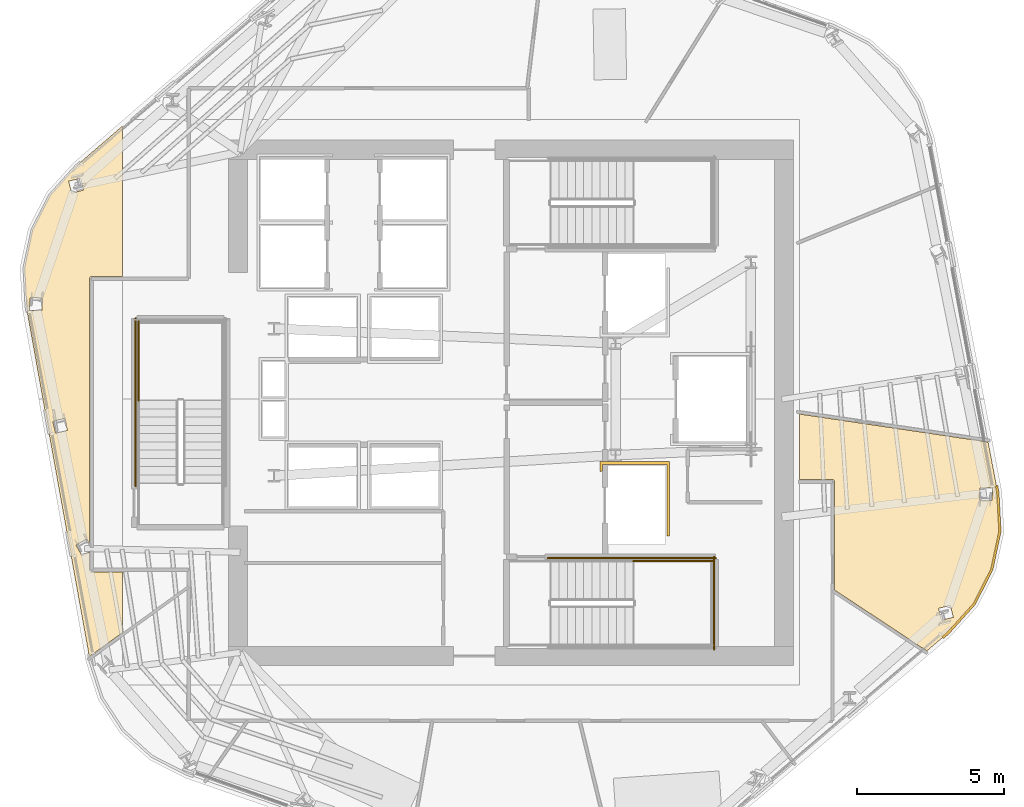
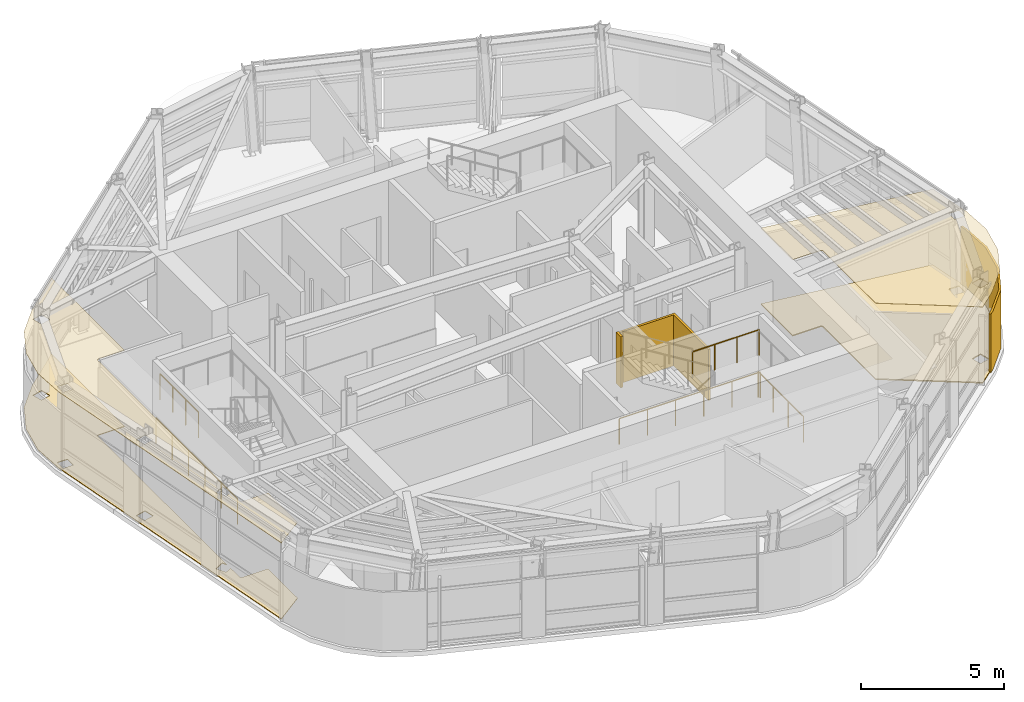
# One storey, part 11 of 14: 6 coverings, 5 railings.
"""IFC4 building model written with IfcOpenShell, lengths in metres."""

from ifc_helpers import new_model, si_unit, direction, frame, origin, origin_2d, place, context, subcontext, project, spatial, polyline, circle, outline, extrude, material, layer, layer_set, type_object, element, save


model = new_model("IFC4")

# Units and contexts
model_context = context("Model", 3, precision=1e-05, world=origin(), true_north=direction((0.0, 1.0)))
body_context = subcontext(model_context, "Body", "Model", "MODEL_VIEW")
ifc_project = project(units=[si_unit("LENGTHUNIT", "METRE"), si_unit("AREAUNIT", "SQUARE_METRE"), si_unit("VOLUMEUNIT", "CUBIC_METRE"), si_unit("PLANEANGLEUNIT", "RADIAN"), si_unit("MASSUNIT", "GRAM", prefix="KILO")], contexts=[model_context])

# Site, building, storey
site_placement = place(None, origin())
site = spatial("IfcSite", under=ifc_project, at=site_placement, CompositionType="ELEMENT")
building_placement = place(site_placement, origin())
building = spatial("IfcBuilding", under=site, at=building_placement, Name="Valkerne Bourse Tower", CompositionType="ELEMENT")
storey_placement = place(building_placement, frame((0.0, 0.0, 198.0)))
storey = spatial("IfcBuildingStorey", under=building, at=storey_placement, Name="L50", CompositionType="ELEMENT", Elevation=198.0)

# Coverings
ifc_material_1 = material(Name="Mineral Fiber Acoustic Ceiling Tile", Category="acoustic")
ifc_layer_1 = layer(ifc_material_1, 0.02490234375)
ifc_layer_set_1 = layer_set([ifc_layer_1], Name="Mineral Fiber Acoustic Ceiling Tile")
covering_type_1 = type_object("IfcCoveringType", Name="COV-CEIL-ACT", PredefinedType="CEILING", material=ifc_layer_set_1)
covering_1_placement = place(storey_placement, frame((0.0, 0.0, 3.25)))
element("IfcCovering", 1, at=covering_1_placement, inside=storey, type_object=covering_type_1, Name="L50 Suspended Ceiling 08", PredefinedType="CEILING", context=body_context, shape_type="SweptSolid", body=[
    extrude(outline(polyline([(62.52783203125, 20.042724609375), (61.638671875, 19.05517578125), (60.92333984375, 18.450439453125), (57.7890625, 20.519775390625), (57.787109375, 24.216552734375), (57.76171875, 24.255126953125), (57.723388671875, 24.268798828125), (56.60009765625, 24.26904296875), (56.60009765625, 26.49658203125), (63.005859375, 25.5458984375), (63.33154296875, 23.8359375), (63.401123046875, 22.509033203125), (63.126953125, 21.218505859375), (62.52783203125, 20.042724609375)]), holes=[polyline([(61.82470703125, 19.594970703125), (61.72412109375, 19.996337890625), (61.32470703125, 19.897216796875), (61.323486328125, 19.89501953125), (61.42431640625, 19.49365234375), (61.82373046875, 19.593017578125), (61.82470703125, 19.594970703125)]), polyline([(63.151611328125, 23.977783203125), (62.737548828125, 23.986083984375), (62.737060546875, 23.98388671875), (62.72900390625, 23.572998046875), (63.143310546875, 23.564697265625), (63.143798828125, 23.56689453125), (63.151611328125, 23.977783203125)])]), origin(), (0.0, 0.0, 1.0), 0.02490234375),
])
covering_2_placement = place(storey_placement, frame((0.0, 0.0, 3.25)))
element("IfcCovering", 2, at=covering_2_placement, inside=storey, type_object=covering_type_1, Name="L50 Suspended Ceiling 12", PredefinedType="CEILING", context=body_context, shape_type="SweptSolid", body=[
    extrude(outline(polyline([(30.5390625, 32.75830078125), (31.13818359375, 33.93408203125), (32.027587890625, 34.922119140625), (33.60009765625, 36.2783203125), (33.60009765625, 31.1689453125), (32.549560546875, 31.1689453125), (32.52099609375, 31.16259765625), (32.498779296875, 31.146484375), (32.48095703125, 31.100830078125), (32.484375, 22.0703125), (32.385986328125, 22.2451171875), (32.024658203125, 22.0419921875), (32.025390625, 22.039794921875), (32.22705078125, 21.681640625), (32.484375, 21.826171875), (32.484619140625, 21.17724609375), (32.50927734375, 21.14404296875), (32.54931640625, 21.131103515625), (33.60009765625, 21.131103515625), (33.60009765625, 19.071044921875), (32.4755859375, 18.2587890625), (30.334228515625, 30.139892578125), (30.264892578125, 31.467529296875), (30.5390625, 32.75830078125)]), holes=[polyline([(31.732666015625, 25.943603515625), (31.63623046875, 26.34326171875), (31.2333984375, 26.246337890625), (31.2333984375, 26.244140625), (31.329833984375, 25.844482421875), (31.732666015625, 25.94140625), (31.732666015625, 25.943603515625)]), polyline([(30.870849609375, 30.427001953125), (30.45654296875, 30.435302734375), (30.4560546875, 30.43310546875), (30.4482421875, 30.022216796875), (30.862548828125, 30.013916015625), (30.863037109375, 30.01611328125), (30.870849609375, 30.427001953125)]), polyline([(32.2763671875, 34.10498046875), (32.17578125, 34.50634765625), (31.7763671875, 34.406982421875), (31.775390625, 34.405029296875), (31.8759765625, 34.003662109375), (32.275390625, 34.102783203125), (32.2763671875, 34.10498046875)])]), origin(), (0.0, 0.0, 1.0), 0.02490234375),
])
ifc_material_2 = material(Name="Bronze Anodised Aluminium AA 6063-T6", Category="aluminium")
ifc_layer_2 = layer(ifc_material_2, 0.06005859375)
ifc_layer_set_2 = layer_set([ifc_layer_2], Name="Bronze Anodised Aluminium AA 6063-T6")
covering_type_2 = type_object("IfcCoveringType", Name="COV-CRN-ALUM", PredefinedType="CLADDING", material=ifc_layer_set_2)
covering_3_placement = place(storey_placement, origin())
element("IfcCovering", 3, at=covering_3_placement, inside=storey, type_object=covering_type_2, Name="L50 Wind-Shaped Corner Aluminium Cladding 01", PredefinedType="CLADDING", context=body_context, shape_type="SweptSolid", body=[
    extrude(outline(polyline([(63.4453125, 22.505615234375), (63.168701171875, 21.20361328125), (62.564453125, 20.017578125), (61.66943359375, 19.023681640625), (61.494873046875, 18.8759765625), (61.44287109375, 18.936767578125), (61.613525390625, 19.0810546875), (62.497802734375, 20.063232421875), (63.0927734375, 21.23046875), (63.364990234375, 22.511962890625), (63.2958984375, 23.83154296875), (63.25390625, 24.051025390625), (63.332763671875, 24.065673828125), (63.37548828125, 23.84130859375), (63.4453125, 22.505615234375)])), origin(), (0.0, 0.0, 1.0), 2.5),
])
ifc_material_3 = material(Name="Galvanised Painted Steel", Category="steel")
ifc_layer_3 = layer(ifc_material_3, 0.044921875)
ifc_layer_set_3 = layer_set([ifc_layer_3], Name="Galvanised Painted Steel")
covering_type_3 = type_object("IfcCoveringType", Name="COV-FLR-RAF", PredefinedType="FLOORING", material=ifc_layer_set_3)
covering_4_placement = place(storey_placement, origin())
element("IfcCovering", 4, at=covering_4_placement, inside=storey, type_object=covering_type_3, Name="L50 Floor Finish 08", PredefinedType="FLOORING", context=body_context, shape_type="SweptSolid", body=[
    extrude(outline(polyline([(62.52783203125, 20.042724609375), (61.638671875, 19.05517578125), (60.92333984375, 18.450439453125), (57.7890625, 20.519775390625), (57.787109375, 24.216552734375), (57.76171875, 24.255126953125), (57.723388671875, 24.268798828125), (56.60009765625, 24.26904296875), (56.60009765625, 26.49658203125), (63.005859375, 25.5458984375), (63.33154296875, 23.8359375), (63.401123046875, 22.509033203125), (63.126953125, 21.218505859375), (62.52783203125, 20.042724609375)]), holes=[polyline([(61.82470703125, 19.594970703125), (61.72412109375, 19.996337890625), (61.32470703125, 19.897216796875), (61.323486328125, 19.89501953125), (61.42431640625, 19.49365234375), (61.82373046875, 19.593017578125), (61.82470703125, 19.594970703125)]), polyline([(63.151611328125, 23.977783203125), (62.737548828125, 23.986083984375), (62.737060546875, 23.98388671875), (62.72900390625, 23.572998046875), (63.143310546875, 23.564697265625), (63.143798828125, 23.56689453125), (63.151611328125, 23.977783203125)])]), origin(), (0.0, 0.0, 1.0), 0.044921875),
])
ifc_material_4 = material(Name="Polished Granite Stone", Category="masonry")
ifc_layer_4 = layer(ifc_material_4, 0.030029296875)
ifc_layer_set_4 = layer_set([ifc_layer_4], Name="Polished Granite Stone")
covering_type_4 = type_object("IfcCoveringType", Name="COV-FLR-TERRAZZO", PredefinedType="FLOORING", material=ifc_layer_set_4)
covering_5_placement = place(storey_placement, origin())
element("IfcCovering", 5, at=covering_5_placement, inside=storey, type_object=covering_type_4, Name="L50 Floor Finish 12", PredefinedType="FLOORING", context=body_context, shape_type="SweptSolid", body=[
    extrude(outline(polyline([(30.5390625, 32.75830078125), (31.13818359375, 33.93408203125), (32.027587890625, 34.922119140625), (33.60009765625, 36.2783203125), (33.60009765625, 31.1689453125), (32.549560546875, 31.1689453125), (32.52099609375, 31.16259765625), (32.498779296875, 31.146484375), (32.48095703125, 31.100830078125), (32.484375, 22.0703125), (32.385986328125, 22.2451171875), (32.024658203125, 22.0419921875), (32.025390625, 22.039794921875), (32.22705078125, 21.681640625), (32.484375, 21.826171875), (32.484619140625, 21.17724609375), (32.50927734375, 21.14404296875), (32.54931640625, 21.131103515625), (33.60009765625, 21.131103515625), (33.60009765625, 19.071044921875), (32.4755859375, 18.2587890625), (30.334228515625, 30.139892578125), (30.264892578125, 31.467529296875), (30.5390625, 32.75830078125)]), holes=[polyline([(31.732666015625, 25.943603515625), (31.63623046875, 26.34326171875), (31.2333984375, 26.246337890625), (31.2333984375, 26.244140625), (31.329833984375, 25.844482421875), (31.732666015625, 25.94140625), (31.732666015625, 25.943603515625)]), polyline([(30.870849609375, 30.427001953125), (30.45654296875, 30.435302734375), (30.4560546875, 30.43310546875), (30.4482421875, 30.022216796875), (30.862548828125, 30.013916015625), (30.863037109375, 30.01611328125), (30.870849609375, 30.427001953125)]), polyline([(32.2763671875, 34.10498046875), (32.17578125, 34.50634765625), (31.7763671875, 34.406982421875), (31.775390625, 34.405029296875), (31.8759765625, 34.003662109375), (32.275390625, 34.102783203125), (32.2763671875, 34.10498046875)])]), origin(), (0.0, 0.0, 1.0), 0.030029296875),
])
ifc_material_5 = material(Name="Gypsum Shaftwall Liner Board", Category="gypsum")
ifc_layer_5 = layer(ifc_material_5, 0.080078125)
ifc_layer_set_5 = layer_set([ifc_layer_5], Name="Gypsum Shaftwall Liner Board")
covering_type_5 = type_object("IfcCoveringType", Name="COV-SHF-CLAD", PredefinedType="CLADDING", material=ifc_layer_set_5)
covering_6_placement = place(storey_placement, origin())
element("IfcCovering", 6, at=covering_6_placement, inside=storey, type_object=covering_type_5, Name="L50 Hoistway & Riser Shaftwall Liner 05", PredefinedType="CLADDING", context=body_context, shape_type="SweptSolid", body=[
    extrude(outline(polyline([(52.179931640625, 22.35009765625), (52.090087890625, 22.35009765625), (52.090087890625, 24.7900390625), (49.909912109375, 24.7900390625), (49.909912109375, 24.560791015625), (49.869384765625, 24.550537109375), (49.827880859375, 24.53564453125), (49.820068359375, 24.531982421875), (49.820068359375, 24.8798828125), (52.179931640625, 24.8798828125), (52.179931640625, 22.35009765625)])), origin(), (0.0, 0.0, 1.0), 2.179931640625),
])

# Railings
railing_type = type_object("IfcRailingType", Name="RLG-ST-GUARD-1120", PredefinedType="GUARDRAIL", material=ifc_material_3)
railing_1_placement = place(storey_placement, frame((50.949951171875, 21.5, 1.89990234375)))
element("IfcRailing", 7, at=railing_1_placement, inside=storey, type_object=railing_type, Name="L50 ST-1 stair guard 4", PredefinedType="GUARDRAIL", context=body_context, shape_type="SweptSolid", body=[
    extrude(circle(Radius=0.02392578125, at=origin_2d()), frame((0.0, 0.0, 1.09619140625), z_axis=(1.0, 0.0, 0.0), x_axis=(0.0, 1.0, 0.0)), (0.0, 0.0, 1.0), 2.699951171875),
    extrude(circle(Radius=0.02099609375, at=origin_2d()), origin(), (0.0, 0.0, 1.0), 1.072021484375),
    extrude(circle(Radius=0.02099609375, at=origin_2d()), frame((0.89990234375, 0.0, 0.0)), (0.0, 0.0, 1.0), 1.072021484375),
    extrude(circle(Radius=0.02099609375, at=origin_2d()), frame((1.800048828125, 0.0, 0.0)), (0.0, 0.0, 1.0), 1.072021484375),
    extrude(circle(Radius=0.02099609375, at=origin_2d()), frame((2.699951171875, 0.0, 0.0)), (0.0, 0.0, 1.0), 1.072021484375),
])
railing_2_placement = place(storey_placement, frame((48.050048828125, 21.60009765625, 0.0)))
element("IfcRailing", 8, at=railing_2_placement, inside=storey, type_object=railing_type, Name="L50 ST-1 stair guard 11", PredefinedType="GUARDRAIL", context=body_context, shape_type="SweptSolid", body=[
    extrude(circle(Radius=0.02392578125, at=origin_2d()), frame((0.0, 0.0, 1.09619140625), z_axis=(1.0, 0.0, 0.0), x_axis=(0.0, 1.0, 0.0)), (0.0, 0.0, 1.0), 5.699951171875),
    extrude(circle(Radius=0.02099609375, at=origin_2d()), origin(), (0.0, 0.0, 1.0), 1.072021484375),
    extrude(circle(Radius=0.02099609375, at=origin_2d()), frame((1.139892578125, 0.0, 0.0)), (0.0, 0.0, 1.0), 1.072021484375),
    extrude(circle(Radius=0.02099609375, at=origin_2d()), frame((2.280029296875, 0.0, 0.0)), (0.0, 0.0, 1.0), 1.072021484375),
    extrude(circle(Radius=0.02099609375, at=origin_2d()), frame((3.419921875, 0.0, 0.0)), (0.0, 0.0, 1.0), 1.072021484375),
    extrude(circle(Radius=0.02099609375, at=origin_2d()), frame((4.56005859375, 0.0, 0.0)), (0.0, 0.0, 1.0), 1.072021484375),
    extrude(circle(Radius=0.02099609375, at=origin_2d()), frame((5.699951171875, 0.0, 0.0)), (0.0, 0.0, 1.0), 1.072021484375),
])
railing_3_placement = place(storey_placement, frame((53.699951171875, 18.5, 0.0)))
element("IfcRailing", 9, at=railing_3_placement, inside=storey, type_object=railing_type, Name="L50 ST-1 stair guard 12", PredefinedType="GUARDRAIL", context=body_context, shape_type="SweptSolid", body=[
    extrude(circle(Radius=0.02392578125, at=origin_2d()), frame((0.0, 0.0, 1.09619140625), z_axis=(0.0, 1.0, 0.0), x_axis=(-1.0, 0.0, 0.0)), (0.0, 0.0, 1.0), 3.14990234375),
    extrude(circle(Radius=0.02099609375, at=origin_2d()), origin(), (0.0, 0.0, 1.0), 1.072021484375),
    extrude(circle(Radius=0.02099609375, at=origin_2d()), frame((0.0, 1.050048828125, 0.0)), (0.0, 0.0, 1.0), 1.072021484375),
    extrude(circle(Radius=0.02099609375, at=origin_2d()), frame((0.0, 2.099853515625, 0.0)), (0.0, 0.0, 1.0), 1.072021484375),
    extrude(circle(Radius=0.02099609375, at=origin_2d()), frame((0.0, 3.14990234375, 0.0)), (0.0, 0.0, 1.0), 1.072021484375),
])
railing_4_placement = place(storey_placement, frame((34.14990234375, 26.949951171875, 1.89990234375)))
element("IfcRailing", 10, at=railing_4_placement, inside=storey, type_object=railing_type, Name="L50 ST-3 stair guard 4", PredefinedType="GUARDRAIL", context=body_context, shape_type="SweptSolid", body=[
    extrude(circle(Radius=0.02392578125, at=origin_2d()), frame((0.0, 0.0, 1.09619140625), z_axis=(0.0, 1.0, 0.0), x_axis=(-1.0, 0.0, 0.0)), (0.0, 0.0, 1.0), 2.699951171875),
    extrude(circle(Radius=0.02099609375, at=origin_2d()), origin(), (0.0, 0.0, 1.0), 1.072021484375),
    extrude(circle(Radius=0.02099609375, at=origin_2d()), frame((0.0, 0.89990234375, 0.0)), (0.0, 0.0, 1.0), 1.072021484375),
    extrude(circle(Radius=0.02099609375, at=origin_2d()), frame((0.0, 1.800048828125, 0.0)), (0.0, 0.0, 1.0), 1.072021484375),
    extrude(circle(Radius=0.02099609375, at=origin_2d()), frame((0.0, 2.699951171875, 0.0)), (0.0, 0.0, 1.0), 1.072021484375),
])
railing_5_placement = place(storey_placement, frame((34.050048828125, 24.050048828125, 0.0)))
element("IfcRailing", 11, at=railing_5_placement, inside=storey, type_object=railing_type, Name="L50 ST-3 stair guard 11", PredefinedType="GUARDRAIL", context=body_context, shape_type="SweptSolid", body=[
    extrude(circle(Radius=0.02392578125, at=origin_2d()), frame((0.0, 0.0, 1.09619140625), z_axis=(0.0, 1.0, 0.0), x_axis=(-1.0, 0.0, 0.0)), (0.0, 0.0, 1.0), 5.699951171875),
    extrude(circle(Radius=0.02099609375, at=origin_2d()), origin(), (0.0, 0.0, 1.0), 1.072021484375),
    extrude(circle(Radius=0.02099609375, at=origin_2d()), frame((0.0, 1.139892578125, 0.0)), (0.0, 0.0, 1.0), 1.072021484375),
    extrude(circle(Radius=0.02099609375, at=origin_2d()), frame((0.0, 2.280029296875, 0.0)), (0.0, 0.0, 1.0), 1.072021484375),
    extrude(circle(Radius=0.02099609375, at=origin_2d()), frame((0.0, 3.419921875, 0.0)), (0.0, 0.0, 1.0), 1.072021484375),
    extrude(circle(Radius=0.02099609375, at=origin_2d()), frame((0.0, 4.56005859375, 0.0)), (0.0, 0.0, 1.0), 1.072021484375),
    extrude(circle(Radius=0.02099609375, at=origin_2d()), frame((0.0, 5.699951171875, 0.0)), (0.0, 0.0, 1.0), 1.072021484375),
])

save(model, "model.ifc")
